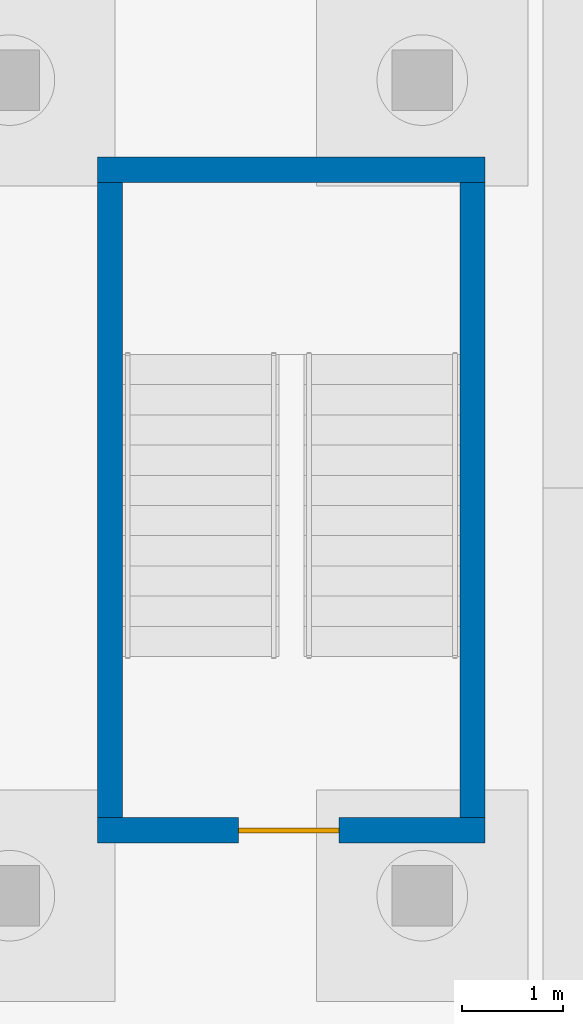
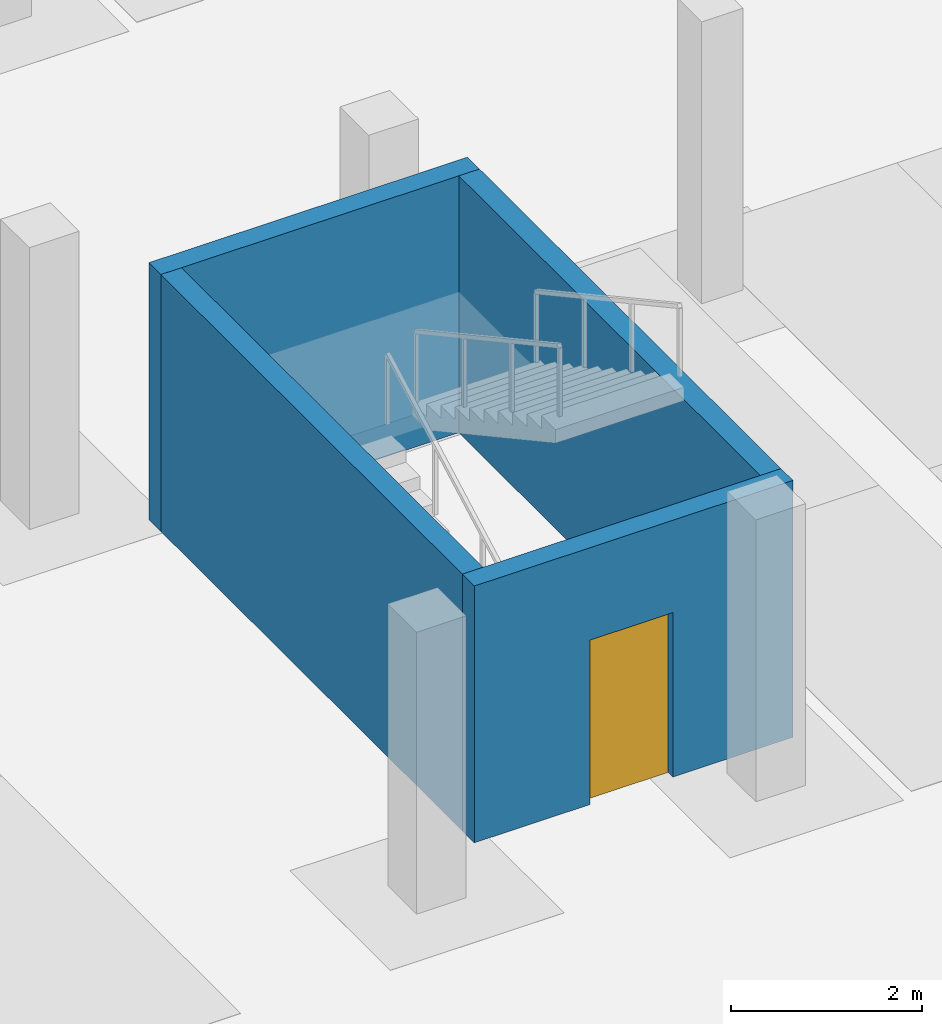
# One storey, part 16 of 23: 4 walls, 1 door, 1 opening.
"""IFC4 building model written with IfcOpenShell, lengths in metres."""

from ifc_helpers import new_model, si_unit, direction, frame, frame_2d, origin, place, context, subcontext, project, spatial, rectangle, extrude, material, layer, layer_set, type_object, element, fill, save


model = new_model("IFC4")

# Units and contexts
model_context = context("Model", 3, precision=1e-05, world=origin(), true_north=direction((0.0, 1.0)))
body_context = subcontext(model_context, "Body", "Model", "MODEL_VIEW")
ifc_project = project(units=[si_unit("LENGTHUNIT", "METRE"), si_unit("AREAUNIT", "SQUARE_METRE"), si_unit("VOLUMEUNIT", "CUBIC_METRE"), si_unit("PLANEANGLEUNIT", "RADIAN"), si_unit("MASSUNIT", "GRAM", prefix="KILO")], contexts=[model_context])

# Site, building, storey
site_placement = place(None, origin())
site = spatial("IfcSite", under=ifc_project, at=site_placement, CompositionType="ELEMENT")
building_placement = place(site_placement, origin())
building = spatial("IfcBuilding", under=site, at=building_placement, Name="Torre Triforio", CompositionType="ELEMENT")
storey_placement = place(building_placement, frame((0.0, 0.0, -10.800048828125)))
storey = spatial("IfcBuildingStorey", under=building, at=storey_placement, Name="B3", CompositionType="ELEMENT", Elevation=-10.800048828125)

# Wall, opening, door
ifc_material_1 = material(Name="Concrete C40", Category="concrete")
ifc_layer = layer(ifc_material_1, 0.25)
ifc_layer_set = layer_set([ifc_layer], Name="Concrete C40")
wall_type = type_object("IfcWallType", Name="Stair enclosure wall 250 EI 120", PredefinedType="STANDARD", material=ifc_layer_set)
wall_1_placement = place(storey_placement, frame((73.77490234375, -31.75, 0.0), z_axis=(0.0, 0.0, 1.0), x_axis=(1.0, 0.0, 0.0)))
wall_1 = element("IfcWall", 1, at=wall_1_placement, inside=storey, type_object=wall_type, Name="Stair enclosure wall B3 009", PredefinedType="STANDARD", context=body_context, shape_type="SweptSolid", body=[
    extrude(rectangle(XDim=3.85009765625, YDim=0.25, at=frame_2d((1.925048828125, 0.0))), origin(), (0.0, 0.0, 1.0), 3.280029296875),
])
opening_placement = place(wall_1_placement, frame((1.39990234375, 0.0, 0.0)))
opening = element("IfcOpeningElement", 2, at=opening_placement, cuts=wall_1, Name="Opening BS3-03", PredefinedType="OPENING", context=body_context, shape_type="SweptSolid", body=[
    extrude(rectangle(XDim=1.0, YDim=2.10009765625, at=frame_2d((0.5, 1.050048828125))), frame((0.0, 0.135009765625, 0.0), z_axis=(0.0, -1.0, 0.0), x_axis=(1.0, 0.0, 0.0)), (0.0, 0.0, 1.0), 0.27001953125),
])
ifc_material_2 = material(Name="Hollow metal fire door leaf")
door_type = type_object("IfcDoorType", Name="Stair door 1000 x 2100 EI 90", OperationType="NOTDEFINED", PredefinedType="DOOR", material=ifc_material_2)
door_placement = place(opening_placement, origin())
door = element("IfcDoor", 3, at=door_placement, inside=storey, type_object=door_type, Name="Door BS3-03", OperationType="SINGLE_SWING_LEFT", OverallHeight=2.10009765625, OverallWidth=1.0, PredefinedType="DOOR", context=body_context, shape_type="SweptSolid", body=[
    extrude(rectangle(XDim=1.0, YDim=2.10009765625, at=frame_2d((0.5, 1.050048828125))), frame((0.0, 0.02490234375, 0.0), z_axis=(0.0, -1.0, 0.0), x_axis=(1.0, 0.0, 0.0)), (0.0, 0.0, 1.0), 0.050048828125),
])
fill(opening, door)

# Walls
wall_2_placement = place(storey_placement, frame((73.77490234375, -25.18994140625, 0.0), z_axis=(0.0, 0.0, 1.0), x_axis=(1.0, 0.0, 0.0)))
element("IfcWall", 4, at=wall_2_placement, inside=storey, type_object=wall_type, Name="Stair enclosure wall B3 010", PredefinedType="STANDARD", context=body_context, shape_type="SweptSolid", body=[
    extrude(rectangle(XDim=3.85009765625, YDim=0.25, at=frame_2d((1.925048828125, 0.0))), origin(), (0.0, 0.0, 1.0), 3.280029296875),
])
for number, where, z_axis, x_axis, name in (
    (5, (73.89990234375, -31.625, 0.0), (0.0, 0.0, 1.0), (0.0, 1.0, 0.0), "Stair enclosure wall B3 011"),
    (6, (77.5, -31.625, 0.0), (0.0, 0.0, 1.0), (0.0, 1.0, 0.0), "Stair enclosure wall B3 012"),
):
    element("IfcWall", number, at=place(storey_placement, frame(where, z_axis=z_axis, x_axis=x_axis)), inside=storey, type_object=wall_type, Name=name, PredefinedType="STANDARD", context=body_context, shape_type="SweptSolid", body=[
        extrude(rectangle(XDim=6.31005859375, YDim=0.25, at=frame_2d((3.155029296875, 0.0))), origin(), (0.0, 0.0, 1.0), 3.280029296875),
    ])

save(model, "model.ifc")
